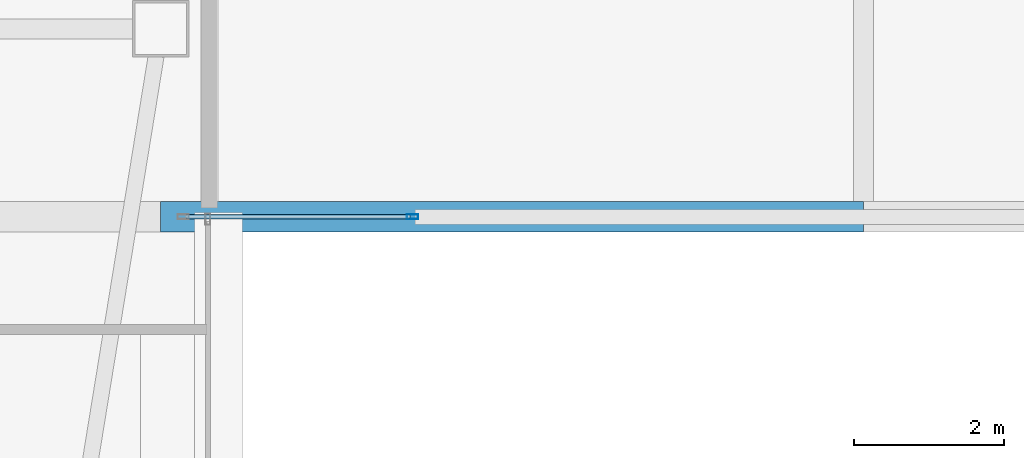
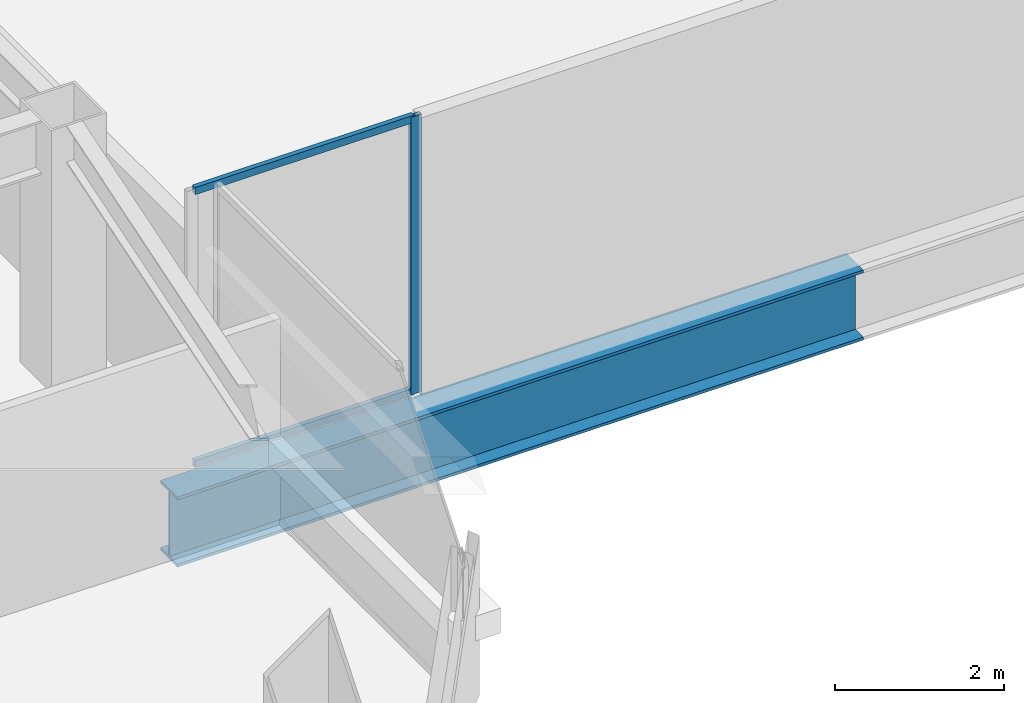
# One storey, part 12 of 51: 3 members, 1 beam, 1 element without a shape of its own.
"""IFC4 building model written with IfcOpenShell, lengths in metres."""

from ifc_helpers import new_model, si_unit, direction, frame, origin, origin_2d, place, context, subcontext, project, spatial, hollow_rectangle, i_section, extrude, material, material_profile, profile_set, type_object, element, aggregate, save


model = new_model("IFC4")

# Units and contexts
model_context = context("Model", 3, precision=1e-05, world=origin(), true_north=direction((0.0, 1.0)))
body_context = subcontext(model_context, "Body", "Model", "MODEL_VIEW")
ifc_project = project(units=[si_unit("LENGTHUNIT", "METRE"), si_unit("AREAUNIT", "SQUARE_METRE"), si_unit("VOLUMEUNIT", "CUBIC_METRE"), si_unit("PLANEANGLEUNIT", "RADIAN"), si_unit("MASSUNIT", "GRAM", prefix="KILO")], contexts=[model_context])

# Site, building, storey
site_placement = place(None, origin())
site = spatial("IfcSite", under=ifc_project, at=site_placement, CompositionType="ELEMENT")
building_placement = place(site_placement, origin())
building = spatial("IfcBuilding", under=site, at=building_placement, Name="Tashvorn Skyway Center", CompositionType="ELEMENT")
storey_placement = place(building_placement, frame((0.0, 0.0, 251.39990234375)))
storey = spatial("IfcBuildingStorey", under=building, at=storey_placement, Name="L68", CompositionType="ELEMENT", Elevation=251.39990234375)

# Beam
ifc_material_1 = material(Name="Steel ASTM A913 Grade 65", Category="steel")
ifc_material_profile_1 = material_profile(ifc_material_1, i_section(OverallWidth=0.40087890625, OverallDepth=1.010986328125, WebThickness=0.023681640625, FlangeThickness=0.0419921875, at=origin_2d()), Name="W40X297")
ifc_profile_set_1 = profile_set([ifc_material_profile_1], Name="Steel ASTM A913 Grade 65")
beam_type = type_object("IfcBeamType", Name="BM-BEAM-W40X297", PredefinedType="BEAM", material=ifc_profile_set_1)
beam_placement = place(storey_placement, frame((57.050048828125, 24.10009765625, -0.725341796875), z_axis=(1.0, 0.0, 0.0), x_axis=(0.0, 1.0, 0.0)))
element("IfcBeam", 1, at=beam_placement, inside=storey, type_object=beam_type, Name="Sky-Park Truss 1 Bottom Chord Panel 06", PredefinedType="BEAM", context=body_context, shape_type="SweptSolid", body=[
    extrude(i_section(OverallWidth=0.40087890625, OverallDepth=1.010986328125, WebThickness=0.023681640625, FlangeThickness=0.0419921875, at=origin_2d()), origin(), (0.0, 0.0, 1.0), 9.349853515625),
])

# Curtain wall, members
ifc_material_2 = material(Name="Thermally broken bronze-anodized aluminium 6063-T6", Category="aluminium")
curtain_wall_type = type_object("IfcCurtainWallType", Name="CW-CW-SKY", PredefinedType="NOTDEFINED", material=ifc_material_2)
curtain_wall_placement = place(storey_placement, origin())
curtain_wall = element("IfcCurtainWall", 2, at=curtain_wall_placement, inside=storey, type_object=curtain_wall_type, Name="Sky-Park L68 Bridge South Curtain Wall Glazing Group 3", PredefinedType="NOTDEFINED")
ifc_material_profile_2 = material_profile(ifc_material_2, hollow_rectangle(XDim=0.06494140625, YDim=0.14990234375, WallThickness=0.00390625, at=origin_2d()), Name="ALU-MULL-65x150")
ifc_profile_set_2 = profile_set([ifc_material_profile_2], Name="Thermally broken bronze-anodized aluminium 6063-T6")
member_type_1 = type_object("IfcMemberType", Name="CWM-CW-SKY", PredefinedType="MULLION", material=ifc_profile_set_2)
member_1_placement = place(storey_placement, frame((60.402587890625, 24.10009765625, 0.0), z_axis=(0.0, 0.0, 1.0), x_axis=(0.0, -1.0, 0.0)))
member_1 = element("IfcMember", 3, at=member_1_placement, type_object=member_type_1, Name="CW-SKY mullion 1", PredefinedType="MULLION", context=body_context, shape_type="SweptSolid", body=[
    extrude(hollow_rectangle(XDim=0.06494140625, YDim=0.14990234375, WallThickness=0.00390625, at=origin_2d()), origin(), (0.0, 0.0, 1.0), 4.0),
])
ifc_material_profile_3 = material_profile(ifc_material_2, hollow_rectangle(XDim=0.06494140625, YDim=0.10498046875, WallThickness=0.00390625, at=origin_2d()), Name="ALU-TRAN-65x105")
ifc_profile_set_3 = profile_set([ifc_material_profile_3], Name="Thermally broken bronze-anodized aluminium 6063-T6")
member_type_2 = type_object("IfcMemberType", Name="CWT-CW-SKY", PredefinedType="USERDEFINED", material=ifc_profile_set_3)
member_2_placement = place(storey_placement, frame((60.3701171875, 24.10009765625, 0.03271484375), z_axis=(-1.0, 0.0, 0.0), x_axis=(0.0, -1.0, 0.0)))
member_2 = element("IfcMember", 4, at=member_2_placement, type_object=member_type_2, Name="CW-SKY transom 1.1", ObjectType="TRANSOM", PredefinedType="USERDEFINED", context=body_context, shape_type="SweptSolid", body=[
    extrude(hollow_rectangle(XDim=0.06494140625, YDim=0.10498046875, WallThickness=0.00390625, at=origin_2d()), origin(), (0.0, 0.0, 1.0), 2.985107421875),
])
member_3_placement = place(storey_placement, frame((60.3701171875, 24.10009765625, 3.967529296875), z_axis=(-1.0, 0.0, 0.0), x_axis=(0.0, -1.0, 0.0)))
member_3 = element("IfcMember", 5, at=member_3_placement, type_object=member_type_2, Name="CW-SKY transom 1.2", ObjectType="TRANSOM", PredefinedType="USERDEFINED", context=body_context, shape_type="SweptSolid", body=[
    extrude(hollow_rectangle(XDim=0.06494140625, YDim=0.10498046875, WallThickness=0.00390625, at=origin_2d()), origin(), (0.0, 0.0, 1.0), 2.985107421875),
])
aggregate(curtain_wall, [member_1, member_2, member_3])

save(model, "model.ifc")
